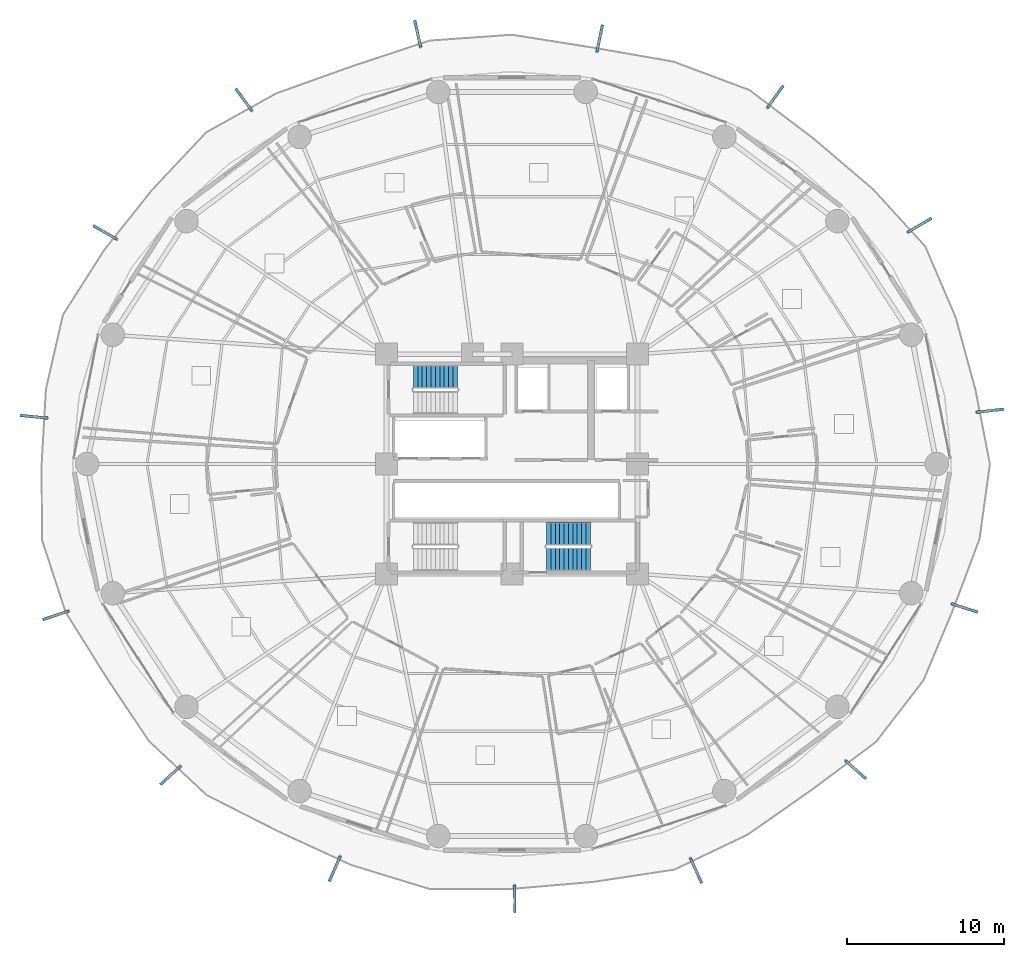
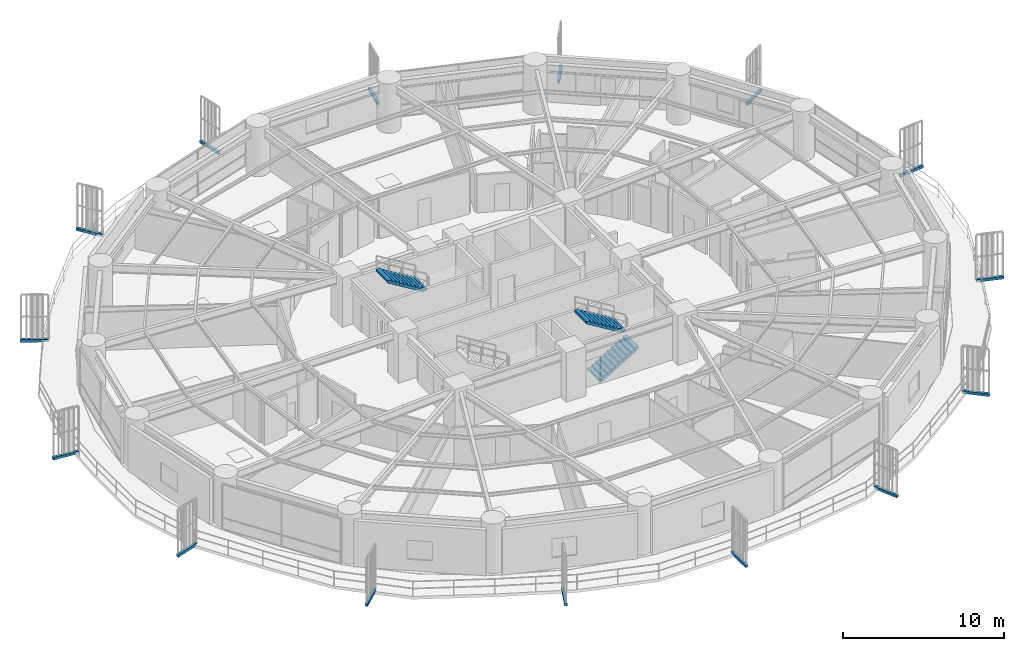
# One storey, part 27 of 32: 15 discrete accessories, 3 stair flights, 2 elements without a shape of their own.
"""IFC4 building model written with IfcOpenShell, lengths in metres."""

import ifcopenshell
import ifcopenshell.guid

model = None  # the IFC model being written
_history = None  # IfcOwnerHistory: only IFC2X3 demands one
_inside = {}  # id of a spatial element -> (the spatial element, [elements in it])
_under = {}  # id of a project, library or spatial element -> (it, [spatial elements below it])
_declared = {}  # id of a project -> (the project, [libraries it declares])
_typed = {}  # id of a type object -> (the type object, [elements of that type])
_made_of = {}  # id of a material, layer set ... -> (it, [elements and type objects made of it])


def new_model(schema):
    """Start an empty IFC model of exactly this schema.

    Asked for "IFC4X3", IfcOpenShell would pick the latest addendum, in which some entities
    have other attributes; the version numbers below select the first issue.
    IFC2X3 requires an IfcOwnerHistory on every rooted entity: one is made here for all.
    """
    global model, _history
    if schema == "IFC4X3":
        model = ifcopenshell.file(schema_version=(4, 3, 0, 0))
    else:
        model = ifcopenshell.file(schema=schema)
    _inside.clear()
    _under.clear()
    _declared.clear()
    _typed.clear()
    _made_of.clear()
    _history = None
    if model.schema == "IFC2X3":
        org = make("IfcOrganization", Name="unknown")
        user = make(
            "IfcPersonAndOrganization",
            ThePerson=make("IfcPerson", FamilyName="unknown"),
            TheOrganization=org,
        )
        app = make(
            "IfcApplication",
            ApplicationDeveloper=org,
            Version="unknown",
            ApplicationFullName="unknown",
            ApplicationIdentifier="unknown",
        )
        _history = make(
            "IfcOwnerHistory",
            OwningUser=user,
            OwningApplication=app,
            ChangeAction="ADDED",
            CreationDate=0,
        )
    return model


def make(cls, **values):
    """One entity of the class cls with the attributes given. An attribute that is None is left unset."""
    return model.create_entity(
        cls, **{name: value for name, value in values.items() if value is not None}
    )


def rooted(cls, **values):
    """An entity with a GlobalId (a new one), such as an element, a storey or a relation."""
    return make(cls, GlobalId=ifcopenshell.guid.new(), OwnerHistory=_history, **values)


def si_unit(unit_type, name, prefix=None):
    """IfcSIUnit, for example si_unit("LENGTHUNIT", "METRE", prefix="MILLI")."""
    return make("IfcSIUnit", UnitType=unit_type, Prefix=prefix, Name=name)


def assignment(units):
    """IfcUnitAssignment: the units of a project."""
    return None if units is None else make("IfcUnitAssignment", Units=units)


def point(xyz):
    """IfcCartesianPoint."""
    return None if xyz is None else make("IfcCartesianPoint", Coordinates=xyz)


def direction(xyz):
    """IfcDirection."""
    return None if xyz is None else make("IfcDirection", DirectionRatios=xyz)


def frame(location, z_axis=None, x_axis=None):
    """IfcAxis2Placement3D, a coordinate frame: its origin and axes. An axis left out is left unset."""
    return make(
        "IfcAxis2Placement3D",
        Location=point(location),
        Axis=direction(z_axis),
        RefDirection=direction(x_axis),
    )


def frame_2d(location, x_axis=None):
    """IfcAxis2Placement2D, a coordinate frame in the plane: its origin and x axis."""
    return make(
        "IfcAxis2Placement2D", Location=point(location), RefDirection=direction(x_axis)
    )


def origin():
    """The frame at (0, 0, 0) with its axes left unset."""
    return frame((0.0, 0.0, 0.0))


def origin_2d():
    """The frame at (0, 0) in the plane with its x axis left unset."""
    return frame_2d((0.0, 0.0))


def place(relative_to, where):
    """IfcLocalPlacement: puts the frame where relative to a parent placement (None: the world)."""
    return make(
        "IfcLocalPlacement", PlacementRelTo=relative_to, RelativePlacement=where
    )


def context(
    kind, dimensions, precision=None, world=None, true_north=None, identifier=None
):
    """IfcGeometricRepresentationContext, for example the 3D "Model" context."""
    return make(
        "IfcGeometricRepresentationContext",
        ContextIdentifier=identifier,
        ContextType=kind,
        CoordinateSpaceDimension=dimensions,
        Precision=precision,
        WorldCoordinateSystem=world,
        TrueNorth=true_north,
    )


def subcontext(parent, identifier, kind, view, scale=None):
    """IfcGeometricRepresentationSubContext, for example "Body" below "Model"."""
    return make(
        "IfcGeometricRepresentationSubContext",
        ContextIdentifier=identifier,
        ContextType=kind,
        ParentContext=parent,
        TargetScale=scale,
        TargetView=view,
    )


def project(units=None, contexts=None):
    """IfcProject with its units and contexts."""
    return rooted(
        "IfcProject",
        Name="project",
        RepresentationContexts=contexts,
        UnitsInContext=assignment(units),
    )


def spatial(cls, under=None, at=None, **own):
    """A site, building, storey or space (cls), placed at a placement, below another one or the project."""
    s = rooted(cls, ObjectPlacement=at, **own)
    if under is not None:
        _under.setdefault(under.id(), (under, []))[1].append(s)
    return s


def polyline(points):
    """IfcPolyline through the points."""
    return make("IfcPolyline", Points=[point(p) for p in points])


def profile(cls, at=None, kind="AREA", **sizes):
    """A parametric profile (cls). Its sizes go by their IFC names, for example OverallWidth=200.0."""
    return make(cls, ProfileType=kind, Position=at, **sizes)


def rectangle(**sizes):
    """IfcRectangleProfileDef."""
    return profile("IfcRectangleProfileDef", **sizes)


def outline(outer, holes=None, kind="AREA"):
    """IfcArbitraryClosedProfileDef: a profile drawn as a closed curve; with holes, ...WithVoids."""
    if holes is None:
        return make("IfcArbitraryClosedProfileDef", ProfileType=kind, OuterCurve=outer)
    return make(
        "IfcArbitraryProfileDefWithVoids",
        ProfileType=kind,
        OuterCurve=outer,
        InnerCurves=holes,
    )


def extrude(swept, where, along, depth):
    """IfcExtrudedAreaSolid: the profile swept, set in the frame where, extruded along a direction by depth."""
    return make(
        "IfcExtrudedAreaSolid",
        SweptArea=swept,
        Position=where,
        ExtrudedDirection=direction(along),
        Depth=depth,
    )


def shape(context_of_items, identifier, shape_type, items):
    """IfcShapeRepresentation: the items that make up one representation, for example the "Body"."""
    return make(
        "IfcShapeRepresentation",
        ContextOfItems=context_of_items,
        RepresentationIdentifier=identifier,
        RepresentationType=shape_type,
        Items=items,
    )


def source(mapping_origin, context_of_items, identifier, shape_type, items):
    """IfcRepresentationMap: a shape defined once, which mapped items show again and again."""
    return make(
        "IfcRepresentationMap",
        MappingOrigin=mapping_origin,
        MappedRepresentation=shape(context_of_items, identifier, shape_type, items),
    )


def transform(
    local_origin,
    x_axis=None,
    y_axis=None,
    z_axis=None,
    scale=None,
    scale2=None,
    scale3=None,
    uniform=True,
):
    """IfcCartesianTransformationOperator3D, or its non-uniform kind. x_axis, y_axis, z_axis: its Axis1, 2, 3."""
    if uniform:
        return make(
            "IfcCartesianTransformationOperator3D",
            Axis1=direction(x_axis),
            Axis2=direction(y_axis),
            LocalOrigin=point(local_origin),
            Scale=scale,
            Axis3=direction(z_axis),
        )
    return make(
        "IfcCartesianTransformationOperator3DnonUniform",
        Axis1=direction(x_axis),
        Axis2=direction(y_axis),
        LocalOrigin=point(local_origin),
        Scale=scale,
        Axis3=direction(z_axis),
        Scale2=scale2,
        Scale3=scale3,
    )


def mapped(mapping_source, mapping_target):
    """IfcMappedItem: shows the shape of a source again, moved by a transform."""
    return make(
        "IfcMappedItem", MappingSource=mapping_source, MappingTarget=mapping_target
    )


def material(Name=None, Category=None):
    """IfcMaterial."""
    return make("IfcMaterial", Name=Name, Category=Category)


def made_of(thing, what):
    """Note that an element or type object is made of a material, layer set ...; save() writes the relation."""
    if what is not None:
        _made_of.setdefault(what.id(), (what, []))[1].append(thing)
    return thing


def type_object(cls, material=None, **own):
    """A type object (cls), such as IfcWallType, which elements share."""
    return made_of(rooted(cls, **own), material)


def element(
    cls,
    number,
    at=None,
    inside=None,
    cuts=None,
    type_object=None,
    material=None,
    context=None,
    identifier="Body",
    shape_type=None,
    held_by="IfcProductDefinitionShape",
    body=None,
    shapes=None,
    **own,
):
    """One element of the class cls, such as IfcWall. Its Tag is "e" and its number.

    at: its placement. inside: the storey or other place that contains it. cuts: it is an
    opening in that element (IfcRelVoidsElement). A single representation is given by context,
    identifier, shape_type and body (its items); several are given by shapes. held_by: the class
    of the entity that holds the representations. save() writes the other relations.
    """
    e = rooted(cls, Tag="e%d" % number, ObjectPlacement=at, **own)
    if body is not None:
        shapes = [shape(context, identifier, shape_type, body)]
    if shapes is not None:
        e.Representation = make(held_by, Representations=shapes)
    if inside is not None:
        _inside.setdefault(inside.id(), (inside, []))[1].append(e)
    if cuts is not None:
        rooted(
            "IfcRelVoidsElement", RelatingBuildingElement=cuts, RelatedOpeningElement=e
        )
    if type_object is not None:
        _typed.setdefault(type_object.id(), (type_object, []))[1].append(e)
    return made_of(e, material)


def aggregate(whole, parts):
    """IfcRelAggregates: a whole, such as a stair, and the parts it consists of."""
    return rooted("IfcRelAggregates", RelatingObject=whole, RelatedObjects=parts)


def save(model, path):
    """Write the relations noted so far, then the file.

    IfcRelAggregates (storeys below a building ...), IfcRelContainedInSpatialStructure (elements
    in a storey), IfcRelDefinesByType, IfcRelAssociatesMaterial and IfcRelDeclares: one each for
    every whole, place, type object, material and project.
    """
    for whole, parts in _under.values():
        aggregate(whole, parts)
    for where, things in _inside.values():
        rooted(
            "IfcRelContainedInSpatialStructure",
            RelatedElements=things,
            RelatingStructure=where,
        )
    for kind, things in _typed.values():
        rooted("IfcRelDefinesByType", RelatedObjects=things, RelatingType=kind)
    for what, things in _made_of.values():
        rooted("IfcRelAssociatesMaterial", RelatedObjects=things, RelatingMaterial=what)
    for by, libraries in _declared.values():
        rooted("IfcRelDeclares", RelatingContext=by, RelatedDefinitions=libraries)
    model.write(path)


model = new_model("IFC4")

# Units and contexts
model_context = context("Model", 3, precision=1e-05, world=origin(), true_north=direction((0.0, 1.0)))
body_context = subcontext(model_context, "Body", "Model", "MODEL_VIEW")
ifc_project = project(units=[si_unit("LENGTHUNIT", "METRE"), si_unit("AREAUNIT", "SQUARE_METRE"), si_unit("VOLUMEUNIT", "CUBIC_METRE"), si_unit("PLANEANGLEUNIT", "RADIAN"), si_unit("MASSUNIT", "GRAM", prefix="KILO")], contexts=[model_context])

# Site, building, storey
site_placement = place(None, origin())
site = spatial("IfcSite", under=ifc_project, at=site_placement, CompositionType="ELEMENT")
building_placement = place(site_placement, origin())
building = spatial("IfcBuilding", under=site, at=building_placement, Name="Kelanora Arch Commons", CompositionType="ELEMENT")
storey_placement = place(building_placement, frame((0.0, 0.0, 56.25)))
storey = spatial("IfcBuildingStorey", under=building, at=storey_placement, Name="L14", CompositionType="ELEMENT", Elevation=56.25)

# Stair, stair flight
ifc_material_1 = material(Name="Concrete C40/50", Category="concrete")
stair_type = type_object("IfcStairType", Name="STR-DL-375", PredefinedType="HALF_TURN_STAIR", material=ifc_material_1)
stair_1_placement = place(storey_placement, origin())
stair_1 = element("IfcStair", 1, at=stair_1_placement, inside=storey, type_object=stair_type, Name="L14 ST-T1", PredefinedType="HALF_TURN_STAIR")
stair_flight_type = type_object("IfcStairFlightType", Name="FLT-DL-375", PredefinedType="STRAIGHT", material=ifc_material_1)
stair_flight_1_placement = place(storey_placement, frame((70.52001953125, 63.550048828125, 1.875), z_axis=(0.0, 0.0, 1.0), x_axis=(-1.0, 0.0, 0.0)))
stair_flight_1 = element("IfcStairFlight", 2, at=stair_flight_1_placement, type_object=stair_flight_type, Name="ST-T1 flight 2", NumberOfRisers=11, NumberOfTreads=10, PredefinedType="STRAIGHT", RiserHeight=0.170454545, TreadLength=0.28, context=body_context, shape_type="SweptSolid", body=[
    extrude(outline(polyline([(0.0, 0.0), (0.0, 0.17041015625), (0.280029296875, 0.17041015625), (0.280029296875, 0.3408203125), (0.56005859375, 0.3408203125), (0.56005859375, 0.511474609375), (0.840087890625, 0.511474609375), (0.840087890625, 0.681884765625), (1.1201171875, 0.681884765625), (1.1201171875, 0.852294921875), (1.39990234375, 0.852294921875), (1.39990234375, 1.022705078125), (1.679931640625, 1.022705078125), (1.679931640625, 1.193115234375), (1.9599609375, 1.193115234375), (1.9599609375, 1.363525390625), (2.239990234375, 1.363525390625), (2.239990234375, 1.5341796875), (2.52001953125, 1.5341796875), (2.52001953125, 1.70458984375), (2.800048828125, 1.70458984375), (2.800048828125, 1.875), (2.800048828125, 1.529052734375), (0.288330078125, 0.0), (0.0, 0.0)])), frame((0.0, 0.739990234375, 0.0), z_axis=(0.0, -1.0, 0.0), x_axis=(1.0, 0.0, 0.0)), (0.0, 0.0, 1.0), 1.47998046875),
])
aggregate(stair_1, [stair_flight_1])

# Stair, stair flights
stair_2_placement = place(storey_placement, origin())
stair_2 = element("IfcStair", 3, at=stair_2_placement, inside=storey, type_object=stair_type, Name="L14 ST-T2", PredefinedType="HALF_TURN_STAIR")
stair_flight_2_placement = place(storey_placement, frame((76.199951171875, 51.919921875, 0.0), z_axis=(0.0, 0.0, 1.0), x_axis=(1.0, 0.0, 0.0)))
stair_flight_2 = element("IfcStairFlight", 4, at=stair_flight_2_placement, type_object=stair_flight_type, Name="ST-T2 flight 1", NumberOfRisers=11, NumberOfTreads=10, PredefinedType="STRAIGHT", RiserHeight=0.170454545, TreadLength=0.28, context=body_context, shape_type="SweptSolid", body=[
    extrude(outline(polyline([(0.0, 0.0), (0.0, 0.17041015625), (0.280029296875, 0.17041015625), (0.280029296875, 0.3408203125), (0.56005859375, 0.3408203125), (0.56005859375, 0.511474609375), (0.840087890625, 0.511474609375), (0.840087890625, 0.681884765625), (1.1201171875, 0.681884765625), (1.1201171875, 0.852294921875), (1.39990234375, 0.852294921875), (1.39990234375, 1.022705078125), (1.679931640625, 1.022705078125), (1.679931640625, 1.193115234375), (1.9599609375, 1.193115234375), (1.9599609375, 1.363525390625), (2.239990234375, 1.363525390625), (2.239990234375, 1.5341796875), (2.52001953125, 1.5341796875), (2.52001953125, 1.70458984375), (2.800048828125, 1.70458984375), (2.800048828125, 1.875), (2.800048828125, 1.529052734375), (0.288330078125, 0.0), (0.0, 0.0)])), frame((0.0, 0.739990234375, 0.0), z_axis=(0.0, -1.0, 0.0), x_axis=(1.0, 0.0, 0.0)), (0.0, 0.0, 1.0), 1.47998046875),
])
stair_flight_3_placement = place(storey_placement, frame((79.0, 53.550048828125, 1.875), z_axis=(0.0, 0.0, 1.0), x_axis=(-1.0, 0.0, 0.0)))
stair_flight_3 = element("IfcStairFlight", 5, at=stair_flight_3_placement, type_object=stair_flight_type, Name="ST-T2 flight 2", NumberOfRisers=11, NumberOfTreads=10, PredefinedType="STRAIGHT", RiserHeight=0.170454545, TreadLength=0.28, context=body_context, shape_type="SweptSolid", body=[
    extrude(outline(polyline([(0.0, 0.0), (0.0, 0.17041015625), (0.280029296875, 0.17041015625), (0.280029296875, 0.3408203125), (0.56005859375, 0.3408203125), (0.56005859375, 0.511474609375), (0.840087890625, 0.511474609375), (0.840087890625, 0.681884765625), (1.1201171875, 0.681884765625), (1.1201171875, 0.852294921875), (1.39990234375, 0.852294921875), (1.39990234375, 1.022705078125), (1.679931640625, 1.022705078125), (1.679931640625, 1.193115234375), (1.9599609375, 1.193115234375), (1.9599609375, 1.363525390625), (2.239990234375, 1.363525390625), (2.239990234375, 1.5341796875), (2.52001953125, 1.5341796875), (2.52001953125, 1.70458984375), (2.800048828125, 1.70458984375), (2.800048828125, 1.875), (2.800048828125, 1.529052734375), (0.288330078125, 0.0), (0.0, 0.0)])), frame((0.0, 0.739990234375, 0.0), z_axis=(0.0, -1.0, 0.0), x_axis=(1.0, 0.0, 0.0)), (0.0, 0.0, 1.0), 1.47998046875),
])
aggregate(stair_2, [stair_flight_2, stair_flight_3])

# Discrete accessories
ifc_material_2 = material(Name="Stainless steel 316 marine fin bracket", Category="steel")
discrete_accessory_type = type_object("IfcDiscreteAccessoryType", Name="ACC-FIN-BRK", PredefinedType="BRACKET", material=ifc_material_2)
shared_shape = source(origin(), body_context, "Body", "SweptSolid", [
    extrude(rectangle(XDim=1.75244140625, YDim=0.179931640625, at=origin_2d()), origin(), (0.0, 0.0, 1.0), 0.199951171875),
])
for number, where, z_axis, x_axis, name in (
    (6, (99.97998046875, 73.21630859375, -0.16015625), (0.0, 0.0, 1.0), (0.862866737202, 0.505431492718, 0.0), "Sweeping Fin Cantilever Spine Bracket L14-00"),
    (7, (90.7861328125, 81.409423828125, -0.16015625), (0.0, 0.0, 1.0), (0.582690479669, 0.812694164433, 0.0), "Sweeping Fin Cantilever Spine Bracket L14-01"),
    (8, (79.59130859375, 85.134765625, -0.16015625), (0.0, 0.0, 1.0), (0.201761744624, 0.979434632023, 0.0), "Sweeping Fin Cantilever Spine Bracket L14-02"),
    (9, (67.99169921875, 85.4248046875, -0.16015625), (0.0, 0.0, 1.0), (-0.214053429014, 0.976821953852, 0.0), "Sweeping Fin Cantilever Spine Bracket L14-03"),
    (10, (56.90869140625, 81.218505859375, -0.16015625), (0.0, 0.0, 1.0), (-0.592856820161, 0.805307885711, 0.0), "Sweeping Fin Cantilever Spine Bracket L14-04"),
    (11, (48.070068359375, 72.756103515625, -0.16015625), (0.0, 0.0, 1.0), (-0.869149881167, 0.494548768138, 0.0), "Sweeping Fin Cantilever Spine Bracket L14-05"),
    (12, (43.535888671875, 61.01025390625, -0.16015625), (0.0, 0.0, 1.0), (-0.995159031741, 0.09827767572, 0.0), "Sweeping Fin Cantilever Spine Bracket L14-06"),
    (13, (44.92724609375, 48.35302734375, -0.16015625), (0.0, 0.0, 1.0), (-0.94909614499, -0.314986519655, 0.0), "Sweeping Fin Cantilever Spine Bracket L14-07"),
    (14, (52.23779296875, 38.158203125, -0.16015625), (0.0, 0.0, 1.0), (-0.738925912503, -0.673786684219, 0.0), "Sweeping Fin Cantilever Spine Bracket L14-08"),
    (15, (62.70556640625, 32.20068359375, -0.16015625), (0.0, 0.0, 1.0), (-0.400988676813, -0.916083009922, 0.0), "Sweeping Fin Cantilever Spine Bracket L14-09"),
    (16, (74.1728515625, 30.27587890625, -0.16015625), (0.0, 0.0, 1.0), (0.006283143966, -0.999980260856, 0.0), "Sweeping Fin Cantilever Spine Bracket L14-10"),
    (17, (85.734375, 32.080078125, -0.16015625), (0.0, 0.0, 1.0), (0.412468552072, -0.910971840153, 0.0), "Sweeping Fin Cantilever Spine Bracket L14-11"),
    (18, (95.90869140625, 38.51904296875, -0.16015625), (0.0, 0.0, 1.0), (0.747334400366, -0.664448112368, 0.0), "Sweeping Fin Cantilever Spine Bracket L14-12"),
    (19, (102.8544921875, 48.822998046875, -0.16015625), (0.0, 0.0, 1.0), (0.952979341517, -0.303035269633, 0.0), "Sweeping Fin Cantilever Spine Bracket L14-13"),
    (20, (104.470703125, 61.394775390625, -0.16015625), (0.0, 0.0, 1.0), (0.993845496974, 0.110775124211, 0.0), "Sweeping Fin Cantilever Spine Bracket L14-14"),
):
    element("IfcDiscreteAccessory", number, at=place(storey_placement, frame(where, z_axis=z_axis, x_axis=x_axis)), inside=storey, type_object=discrete_accessory_type, Name=name, PredefinedType="BRACKET", context=body_context, shape_type="MappedRepresentation", body=[
        mapped(shared_shape, transform((0.0, 0.0, 0.0), scale=1.0)),
    ])

save(model, "model.ifc")
